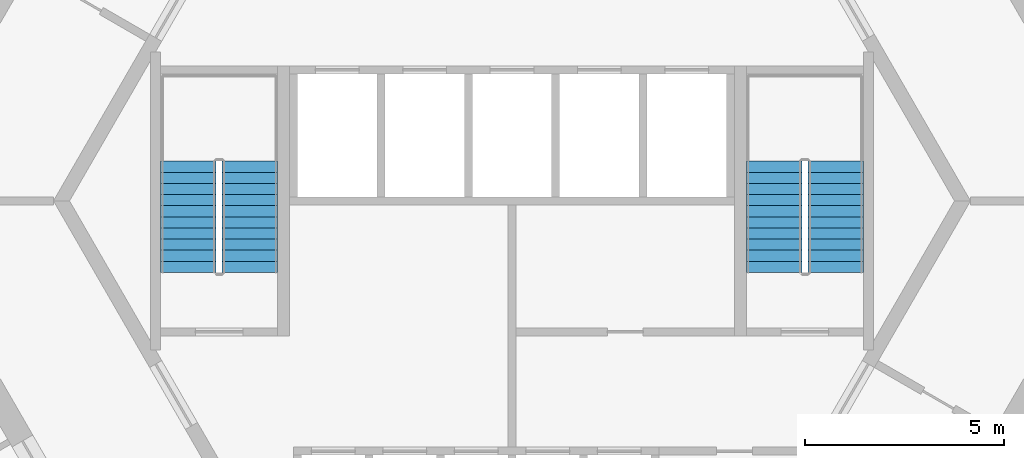
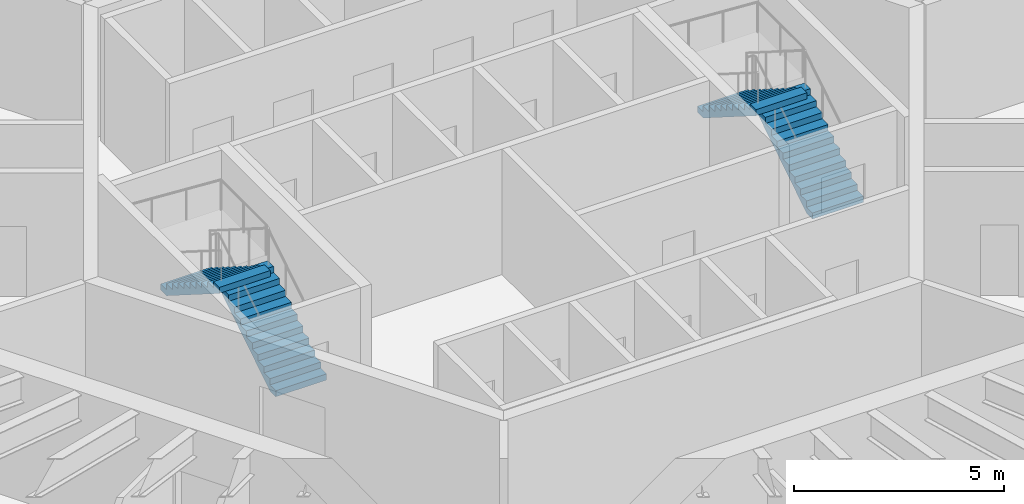
# One storey, part 11 of 12: 4 stair flights, 2 elements without a shape of their own.
"""IFC4 building model written with IfcOpenShell, lengths in metres."""

from ifc_helpers import new_model, si_unit, direction, frame, origin, place, context, subcontext, project, spatial, polyline, outline, extrude, material, type_object, element, aggregate, save


model = new_model("IFC4")

# Units and contexts
model_context = context("Model", 3, precision=1e-05, world=origin(), true_north=direction((0.0, 1.0)))
body_context = subcontext(model_context, "Body", "Model", "MODEL_VIEW")
ifc_project = project(units=[si_unit("LENGTHUNIT", "METRE"), si_unit("AREAUNIT", "SQUARE_METRE"), si_unit("VOLUMEUNIT", "CUBIC_METRE"), si_unit("PLANEANGLEUNIT", "RADIAN"), si_unit("MASSUNIT", "GRAM", prefix="KILO")], contexts=[model_context])

# Site, building, storey
site_placement = place(None, origin())
site = spatial("IfcSite", under=ifc_project, at=site_placement, CompositionType="ELEMENT")
building_placement = place(site_placement, origin())
building = spatial("IfcBuilding", under=site, at=building_placement, Name="Tarnside Tower", CompositionType="ELEMENT")
storey_placement = place(building_placement, frame((0.0, 0.0, 119.39990234375)))
storey = spatial("IfcBuildingStorey", under=building, at=storey_placement, Name="L27", CompositionType="ELEMENT", Elevation=119.39990234375)

# Stair, stair flights
ifc_material = material(Name="Concrete C40/50", Category="concrete")
stair_type = type_object("IfcStairType", Name="Exit stair 1400 clear", PredefinedType="HALF_TURN_STAIR", material=ifc_material)
stair_1_placement = place(storey_placement, origin())
stair_1 = element("IfcStair", 1, at=stair_1_placement, inside=storey, type_object=stair_type, Name="L27 Exit stair 1", PredefinedType="HALF_TURN_STAIR")
stair_flight_type = type_object("IfcStairFlightType", Name="Exit stair flight 1400", PredefinedType="STRAIGHT", material=ifc_material)
stair_flight_1_placement = place(storey_placement, frame((8.14990234375, -1.800048828125, 0.0), z_axis=(0.0, 0.0, 1.0), x_axis=(0.0, 1.0, 0.0)))
stair_flight_1 = element("IfcStairFlight", 2, at=stair_flight_1_placement, type_object=stair_flight_type, Name="ST1 flight 1", NumberOfRisers=11, NumberOfTreads=10, PredefinedType="STRAIGHT", RiserHeight=0.177272727, TreadLength=0.28, context=body_context, shape_type="SweptSolid", body=[
    extrude(outline(polyline([(0.0, 0.0), (0.0, 0.17724609375), (0.280029296875, 0.17724609375), (0.280029296875, 0.3544921875), (0.56005859375, 0.3544921875), (0.56005859375, 0.53173828125), (0.840087890625, 0.53173828125), (0.840087890625, 0.708984375), (1.1201171875, 0.708984375), (1.1201171875, 0.886474609375), (1.39990234375, 0.886474609375), (1.39990234375, 1.063720703125), (1.679931640625, 1.063720703125), (1.679931640625, 1.240966796875), (1.9599609375, 1.240966796875), (1.9599609375, 1.418212890625), (2.239990234375, 1.418212890625), (2.239990234375, 1.595458984375), (2.52001953125, 1.595458984375), (2.52001953125, 1.772705078125), (2.800048828125, 1.772705078125), (2.800048828125, 1.949951171875), (2.800048828125, 1.59521484375), (0.2802734375, 0.0), (0.0, 0.0)])), frame((0.0, 0.699951171875, 0.0), z_axis=(0.0, -1.0, 0.0), x_axis=(1.0, 0.0, 0.0)), (0.0, 0.0, 1.0), 1.39990234375),
])
stair_flight_2_placement = place(storey_placement, frame((6.60009765625, 1.0, 1.9501953125), z_axis=(0.0, 0.0, 1.0), x_axis=(0.0, -1.0, 0.0)))
stair_flight_2 = element("IfcStairFlight", 3, at=stair_flight_2_placement, type_object=stair_flight_type, Name="ST1 flight 2", NumberOfRisers=11, NumberOfTreads=10, PredefinedType="STRAIGHT", RiserHeight=0.177272727, TreadLength=0.28, context=body_context, shape_type="SweptSolid", body=[
    extrude(outline(polyline([(0.0, 0.0), (0.0, 0.17724609375), (0.280029296875, 0.17724609375), (0.280029296875, 0.3544921875), (0.56005859375, 0.3544921875), (0.56005859375, 0.53173828125), (0.840087890625, 0.53173828125), (0.840087890625, 0.708984375), (1.1201171875, 0.708984375), (1.1201171875, 0.886474609375), (1.39990234375, 0.886474609375), (1.39990234375, 1.063720703125), (1.679931640625, 1.063720703125), (1.679931640625, 1.240966796875), (1.9599609375, 1.240966796875), (1.9599609375, 1.418212890625), (2.239990234375, 1.418212890625), (2.239990234375, 1.595458984375), (2.52001953125, 1.595458984375), (2.52001953125, 1.772705078125), (2.800048828125, 1.772705078125), (2.800048828125, 1.949951171875), (2.800048828125, 1.59521484375), (0.2802734375, 0.0), (0.0, 0.0)])), frame((0.0, 0.699951171875, 0.0), z_axis=(0.0, -1.0, 0.0), x_axis=(1.0, 0.0, 0.0)), (0.0, 0.0, 1.0), 1.39990234375),
])
aggregate(stair_1, [stair_flight_1, stair_flight_2])

stair_2_placement = place(storey_placement, origin())
stair_2 = element("IfcStair", 4, at=stair_2_placement, inside=storey, type_object=stair_type, Name="L27 Exit stair 2", PredefinedType="HALF_TURN_STAIR")
stair_flight_3_placement = place(storey_placement, frame((-6.60009765625, -1.800048828125, 0.0), z_axis=(0.0, 0.0, 1.0), x_axis=(0.0, 1.0, 0.0)))
stair_flight_3 = element("IfcStairFlight", 5, at=stair_flight_3_placement, type_object=stair_flight_type, Name="ST2 flight 1", NumberOfRisers=11, NumberOfTreads=10, PredefinedType="STRAIGHT", RiserHeight=0.177272727, TreadLength=0.28, context=body_context, shape_type="SweptSolid", body=[
    extrude(outline(polyline([(0.0, 0.0), (0.0, 0.17724609375), (0.280029296875, 0.17724609375), (0.280029296875, 0.3544921875), (0.56005859375, 0.3544921875), (0.56005859375, 0.53173828125), (0.840087890625, 0.53173828125), (0.840087890625, 0.708984375), (1.1201171875, 0.708984375), (1.1201171875, 0.886474609375), (1.39990234375, 0.886474609375), (1.39990234375, 1.063720703125), (1.679931640625, 1.063720703125), (1.679931640625, 1.240966796875), (1.9599609375, 1.240966796875), (1.9599609375, 1.418212890625), (2.239990234375, 1.418212890625), (2.239990234375, 1.595458984375), (2.52001953125, 1.595458984375), (2.52001953125, 1.772705078125), (2.800048828125, 1.772705078125), (2.800048828125, 1.949951171875), (2.800048828125, 1.59521484375), (0.2802734375, 0.0), (0.0, 0.0)])), frame((0.0, 0.699951171875, 0.0), z_axis=(0.0, -1.0, 0.0), x_axis=(1.0, 0.0, 0.0)), (0.0, 0.0, 1.0), 1.39990234375),
])
stair_flight_4_placement = place(storey_placement, frame((-8.14990234375, 1.0, 1.9501953125), z_axis=(0.0, 0.0, 1.0), x_axis=(0.0, -1.0, 0.0)))
stair_flight_4 = element("IfcStairFlight", 6, at=stair_flight_4_placement, type_object=stair_flight_type, Name="ST2 flight 2", NumberOfRisers=11, NumberOfTreads=10, PredefinedType="STRAIGHT", RiserHeight=0.177272727, TreadLength=0.28, context=body_context, shape_type="SweptSolid", body=[
    extrude(outline(polyline([(0.0, 0.0), (0.0, 0.17724609375), (0.280029296875, 0.17724609375), (0.280029296875, 0.3544921875), (0.56005859375, 0.3544921875), (0.56005859375, 0.53173828125), (0.840087890625, 0.53173828125), (0.840087890625, 0.708984375), (1.1201171875, 0.708984375), (1.1201171875, 0.886474609375), (1.39990234375, 0.886474609375), (1.39990234375, 1.063720703125), (1.679931640625, 1.063720703125), (1.679931640625, 1.240966796875), (1.9599609375, 1.240966796875), (1.9599609375, 1.418212890625), (2.239990234375, 1.418212890625), (2.239990234375, 1.595458984375), (2.52001953125, 1.595458984375), (2.52001953125, 1.772705078125), (2.800048828125, 1.772705078125), (2.800048828125, 1.949951171875), (2.800048828125, 1.59521484375), (0.2802734375, 0.0), (0.0, 0.0)])), frame((0.0, 0.699951171875, 0.0), z_axis=(0.0, -1.0, 0.0), x_axis=(1.0, 0.0, 0.0)), (0.0, 0.0, 1.0), 1.39990234375),
])
aggregate(stair_2, [stair_flight_3, stair_flight_4])

save(model, "model.ifc")
